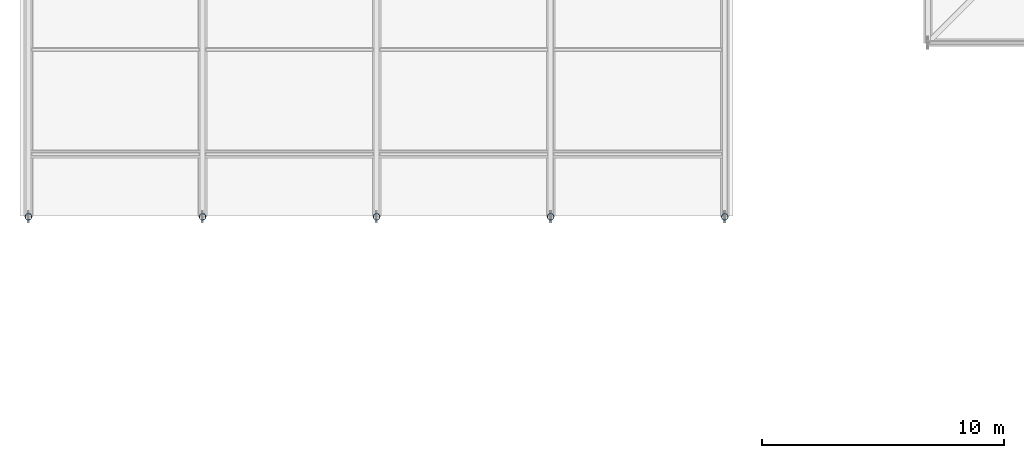
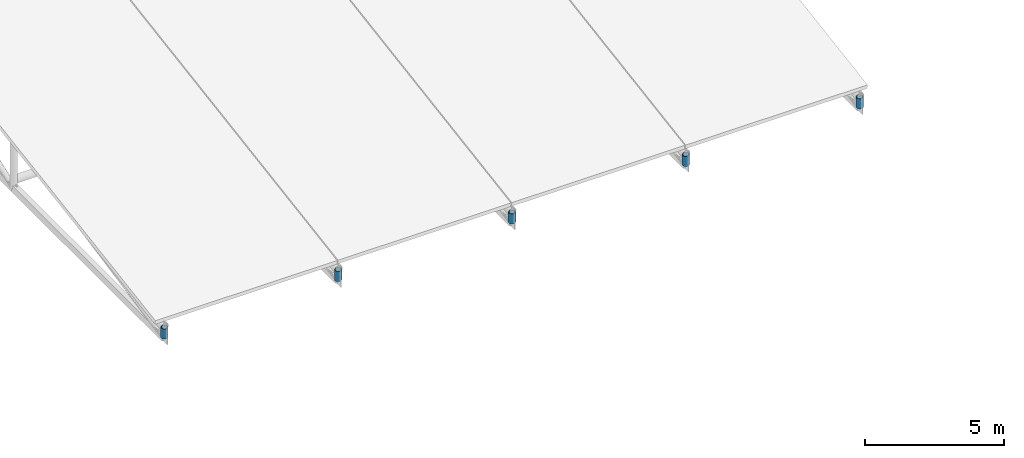
# One storey, part 42 of 72: 5 members.
"""IFC4 building model written with IfcOpenShell, lengths in metres."""

from ifc_helpers import new_model, si_unit, direction, frame, origin, origin_2d, place, context, subcontext, project, spatial, hollow_circle, extrude, material, material_profile, profile_set, type_object, element, save


model = new_model("IFC4")

# Units and contexts
model_context = context("Model", 3, precision=1e-05, world=origin(), true_north=direction((0.0, 1.0)))
body_context = subcontext(model_context, "Body", "Model", "MODEL_VIEW")
ifc_project = project(units=[si_unit("LENGTHUNIT", "METRE"), si_unit("AREAUNIT", "SQUARE_METRE"), si_unit("VOLUMEUNIT", "CUBIC_METRE"), si_unit("PLANEANGLEUNIT", "RADIAN"), si_unit("MASSUNIT", "GRAM", prefix="KILO")], contexts=[model_context])

# Site, building, storey
site_placement = place(None, origin())
site = spatial("IfcSite", under=ifc_project, at=site_placement, CompositionType="ELEMENT")
building_placement = place(site_placement, origin())
building = spatial("IfcBuilding", under=site, at=building_placement, Name="Vaelcorin Mobility Hub", CompositionType="ELEMENT")
storey_placement = place(building_placement, frame((0.0, 0.0, 25.800048828125)))
storey = spatial("IfcBuildingStorey", under=building, at=storey_placement, Name="RF", CompositionType="ELEMENT", Elevation=25.800048828125)

# Members
ifc_material = material(Name="Steel ASTM A500 Grade C", Category="steel")
ifc_material_profile = material_profile(ifc_material, hollow_circle(Radius=0.136474609375, WallThickness=0.0126953125, at=origin_2d()), Name="HSS10.750X0.500")
ifc_profile_set = profile_set([ifc_material_profile], Name="Steel ASTM A500 Grade C")
member_type = type_object("IfcMemberType", Name="SF-POST-10", PredefinedType="POST", material=ifc_profile_set)
for number, where, z_axis, x_axis, name in (
    (1, (6.0, 76.800048828125, -4.199951171875), (0.0, 0.0, 1.0), (1.0, 0.0, 0.0), "V2W Drum Roof Truss Post 1-0"),
    (2, (13.199951171875, 76.800048828125, -4.199951171875), (0.0, 0.0, 1.0), (1.0, 0.0, 0.0), "V2W Drum Roof Truss Post 2-0"),
    (3, (20.39990234375, 76.800048828125, -4.199951171875), (0.0, 0.0, 1.0), (1.0, 0.0, 0.0), "V2W Drum Roof Truss Post 3-0"),
    (4, (27.60009765625, 76.800048828125, -4.199951171875), (0.0, 0.0, 1.0), (1.0, 0.0, 0.0), "V2W Drum Roof Truss Post 4-0"),
    (5, (34.800048828125, 76.800048828125, -4.199951171875), (0.0, 0.0, 1.0), (1.0, 0.0, 0.0), "V2W Drum Roof Truss Post 5-0"),
):
    element("IfcMember", number, at=place(storey_placement, frame(where, z_axis=z_axis, x_axis=x_axis)), inside=storey, type_object=member_type, Name=name, PredefinedType="POST", context=body_context, shape_type="SweptSolid", body=[
        extrude(hollow_circle(Radius=0.136474609375, WallThickness=0.0126953125, at=origin_2d()), origin(), (0.0, 0.0, 1.0), 0.44384765625),
    ])

save(model, "model.ifc")
